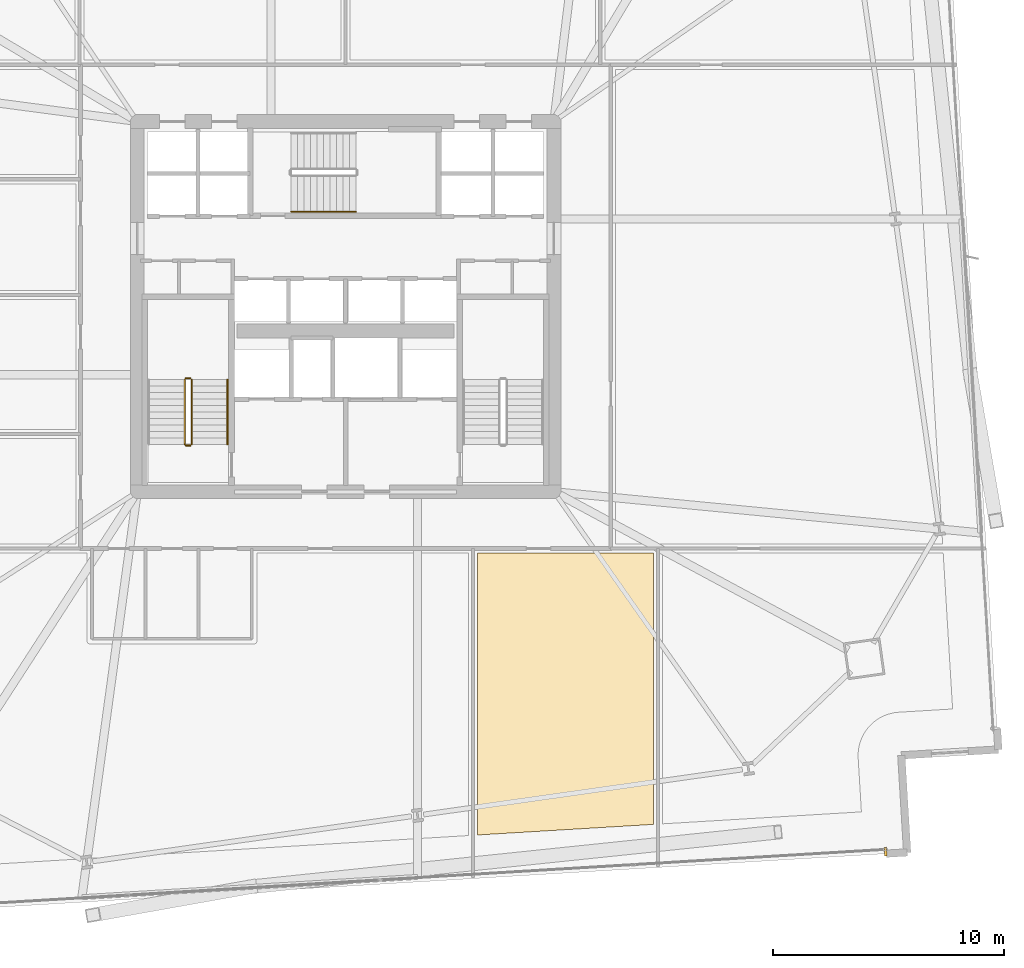
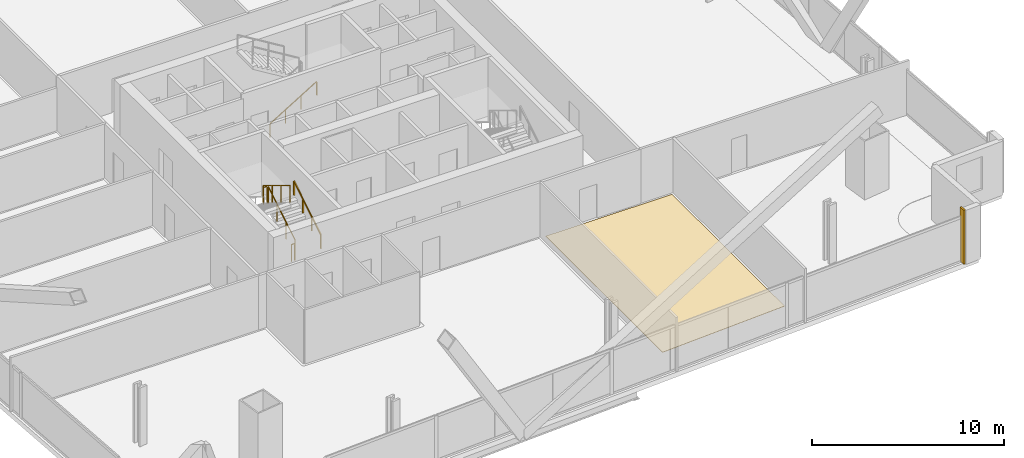
# One storey, part 31 of 34: 6 railings, 2 coverings.
"""IFC4 building model written with IfcOpenShell, lengths in metres."""

from ifc_helpers import new_model, si_unit, direction, frame, origin, origin_2d, place, context, subcontext, project, spatial, polyline, rectangle, outline, extrude, source, transform, mapped, material, layer, layer_set, type_object, element, save


model = new_model("IFC4")

# Units and contexts
model_context = context("Model", 3, precision=1e-05, world=origin(), true_north=direction((0.0, 1.0)))
body_context = subcontext(model_context, "Body", "Model", "MODEL_VIEW")
ifc_project = project(units=[si_unit("LENGTHUNIT", "METRE"), si_unit("AREAUNIT", "SQUARE_METRE"), si_unit("VOLUMEUNIT", "CUBIC_METRE"), si_unit("PLANEANGLEUNIT", "RADIAN"), si_unit("MASSUNIT", "GRAM", prefix="KILO")], contexts=[model_context])

# Site, building, storey
site_placement = place(None, origin())
site = spatial("IfcSite", under=ifc_project, at=site_placement, CompositionType="ELEMENT")
building_placement = place(site_placement, origin())
building = spatial("IfcBuilding", under=site, at=building_placement, Name="Haldenkirk Collegiate Tower", CompositionType="ELEMENT")
storey_placement = place(building_placement, frame((0.0, 0.0, 40.199951171875)))
storey = spatial("IfcBuildingStorey", under=building, at=storey_placement, Name="L08", CompositionType="ELEMENT", Elevation=40.199951171875)

# Covering
ifc_material_1 = material(Name="Polished collegiate terrazzo", Category="concrete")
ifc_layer_1 = layer(ifc_material_1, 0.02490234375)
ifc_layer_set_1 = layer_set([ifc_layer_1], Name="Polished collegiate terrazzo")
covering_type_1 = type_object("IfcCoveringType", Name="COV-FLOOR-TERRAZZO", PredefinedType="FLOORING", material=ifc_layer_set_1)
covering_1_placement = place(storey_placement, origin())
element("IfcCovering", 1, at=covering_1_placement, inside=storey, type_object=covering_type_1, Name="L08 academic room finish 02", PredefinedType="FLOORING", context=body_context, shape_type="SweptSolid", body=[
    extrude(outline(polyline([(41.699951171875, 3.171630859375), (41.699951171875, 15.35009765625), (49.300048828125, 15.35009765625), (49.300048828125, 3.6298828125), (41.699951171875, 3.171630859375)])), origin(), (0.0, 0.0, 1.0), 0.025146484375),
])

# Railings
ifc_material_2 = material(Name="Painted architectural tubular steel", Category="steel")
railing_type_1 = type_object("IfcRailingType", Name="RLG-STAIR-GUARD-1100", PredefinedType="BALUSTRADE", material=ifc_material_2)
railing_1_placement = place(storey_placement, frame((29.35009765625, 20.050048828125, 0.17041015625)))
element("IfcRailing", 2, at=railing_1_placement, inside=storey, type_object=railing_type_1, Name="L08 ST-1 stair guard 1", PredefinedType="BALUSTRADE", context=body_context, shape_type="SweptSolid", body=[
    extrude(rectangle(XDim=0.048095703125, YDim=0.048095703125, at=origin_2d()), frame((0.0, 0.0, 1.076171875), z_axis=(0.0, 0.854169791009, 0.51999420009), x_axis=(-1.0, 0.0, 0.0)), (0.0, 0.0, 1.0), 3.278076171875),
    extrude(rectangle(XDim=0.0419921875, YDim=0.0419921875, at=origin_2d()), origin(), (0.0, 0.0, 1.0), 1.052001953125),
    extrude(rectangle(XDim=0.0419921875, YDim=0.0419921875, at=origin_2d()), frame((0.0, 0.933349609375, 0.568115234375)), (0.0, 0.0, 1.0), 1.052001953125),
    extrude(rectangle(XDim=0.0419921875, YDim=0.0419921875, at=origin_2d()), frame((0.0, 1.86669921875, 1.136474609375)), (0.0, 0.0, 1.0), 1.052001953125),
    extrude(rectangle(XDim=0.0419921875, YDim=0.0419921875, at=origin_2d()), frame((0.0, 2.800048828125, 1.70458984375)), (0.0, 0.0, 1.0), 1.052001953125),
])
railing_2_placement = place(storey_placement, frame((29.300048828125, 22.89990234375, 1.875)))
element("IfcRailing", 3, at=railing_2_placement, inside=storey, type_object=railing_type_1, Name="L08 ST-1 stair guard 2", PredefinedType="BALUSTRADE", context=body_context, shape_type="SweptSolid", body=[
    extrude(rectangle(XDim=0.048095703125, YDim=0.048095703125, at=origin_2d()), frame((0.0, 0.0, 1.076171875), z_axis=(-1.0, 0.0, 0.0), x_axis=(0.0, -1.0, 0.0)), (0.0, 0.0, 1.0), 0.199951171875),
    extrude(rectangle(XDim=0.0419921875, YDim=0.0419921875, at=origin_2d()), origin(), (0.0, 0.0, 1.0), 1.052001953125),
    extrude(rectangle(XDim=0.0419921875, YDim=0.0419921875, at=origin_2d()), frame((-0.199951171875, 0.0, 0.0)), (0.0, 0.0, 1.0), 1.052001953125),
])
railing_3_placement = place(storey_placement, frame((29.050048828125, 22.85009765625, 2.04541015625)))
element("IfcRailing", 4, at=railing_3_placement, inside=storey, type_object=railing_type_1, Name="L08 ST-1 stair guard 3", PredefinedType="BALUSTRADE", context=body_context, shape_type="SweptSolid", body=[
    extrude(rectangle(XDim=0.048095703125, YDim=0.048095703125, at=origin_2d()), frame((0.0, 0.0, 1.076171875), z_axis=(0.0, -0.854169791009, 0.51999420009), x_axis=(1.0, 0.0, 0.0)), (0.0, 0.0, 1.0), 3.278076171875),
    extrude(rectangle(XDim=0.0419921875, YDim=0.0419921875, at=origin_2d()), origin(), (0.0, 0.0, 1.0), 1.052001953125),
    extrude(rectangle(XDim=0.0419921875, YDim=0.0419921875, at=origin_2d()), frame((0.0, -0.933349609375, 0.568115234375)), (0.0, 0.0, 1.0), 1.052001953125),
    extrude(rectangle(XDim=0.0419921875, YDim=0.0419921875, at=origin_2d()), frame((0.0, -1.86669921875, 1.136474609375)), (0.0, 0.0, 1.0), 1.052001953125),
    extrude(rectangle(XDim=0.0419921875, YDim=0.0419921875, at=origin_2d()), frame((0.0, -2.800048828125, 1.70458984375)), (0.0, 0.0, 1.0), 1.052001953125),
])
railing_4_placement = place(storey_placement, frame((29.300048828125, 20.0, 0.0)))
element("IfcRailing", 5, at=railing_4_placement, inside=storey, type_object=railing_type_1, Name="L08 ST-1 stair guard 4", PredefinedType="BALUSTRADE", context=body_context, shape_type="SweptSolid", body=[
    extrude(rectangle(XDim=0.048095703125, YDim=0.048095703125, at=origin_2d()), frame((0.0, 0.0, 1.076171875), z_axis=(-1.0, 0.0, 0.0), x_axis=(0.0, -1.0, 0.0)), (0.0, 0.0, 1.0), 0.199951171875),
    extrude(rectangle(XDim=0.0419921875, YDim=0.0419921875, at=origin_2d()), origin(), (0.0, 0.0, 1.0), 1.052001953125),
    extrude(rectangle(XDim=0.0419921875, YDim=0.0419921875, at=origin_2d()), frame((-0.199951171875, 0.0, 0.0)), (0.0, 0.0, 1.0), 1.052001953125),
])
railing_type_2 = type_object("IfcRailingType", Name="RLG-STAIR-HANDRAIL-900", PredefinedType="HANDRAIL", material=ifc_material_2)
railing_5_placement = place(storey_placement, frame((30.89990234375, 20.050048828125, 0.17041015625)))
element("IfcRailing", 6, at=railing_5_placement, inside=storey, type_object=railing_type_2, Name="L08 ST-1 stair handrail 1", PredefinedType="HANDRAIL", context=body_context, shape_type="SweptSolid", body=[
    extrude(rectangle(XDim=0.048095703125, YDim=0.048095703125, at=origin_2d()), frame((0.0, 0.0, 0.8759765625), z_axis=(0.0, 0.854169791009, 0.51999420009), x_axis=(-1.0, 0.0, 0.0)), (0.0, 0.0, 1.0), 3.278076171875),
    extrude(rectangle(XDim=0.0419921875, YDim=0.0419921875, at=origin_2d()), origin(), (0.0, 0.0, 1.0), 0.851806640625),
    extrude(rectangle(XDim=0.0419921875, YDim=0.0419921875, at=origin_2d()), frame((0.0, 0.933349609375, 0.568115234375)), (0.0, 0.0, 1.0), 0.851806640625),
    extrude(rectangle(XDim=0.0419921875, YDim=0.0419921875, at=origin_2d()), frame((0.0, 1.86669921875, 1.136474609375)), (0.0, 0.0, 1.0), 0.851806640625),
    extrude(rectangle(XDim=0.0419921875, YDim=0.0419921875, at=origin_2d()), frame((0.0, 2.800048828125, 1.70458984375)), (0.0, 0.0, 1.0), 0.851806640625),
])
railing_6_placement = place(storey_placement, frame((33.64990234375, 30.10009765625, 0.17041015625)))
element("IfcRailing", 7, at=railing_6_placement, inside=storey, type_object=railing_type_2, Name="L08 ST-3 stair handrail 1", PredefinedType="HANDRAIL", context=body_context, shape_type="SweptSolid", body=[
    extrude(rectangle(XDim=0.048095703125, YDim=0.048095703125, at=origin_2d()), frame((0.0, 0.0, 0.8759765625), z_axis=(0.854169791009, 0.0, 0.51999420009), x_axis=(0.0, 1.0, 0.0)), (0.0, 0.0, 1.0), 3.278076171875),
    extrude(rectangle(XDim=0.0419921875, YDim=0.0419921875, at=origin_2d()), origin(), (0.0, 0.0, 1.0), 0.851806640625),
    extrude(rectangle(XDim=0.0419921875, YDim=0.0419921875, at=origin_2d()), frame((0.933349609375, 0.0, 0.568115234375)), (0.0, 0.0, 1.0), 0.851806640625),
    extrude(rectangle(XDim=0.0419921875, YDim=0.0419921875, at=origin_2d()), frame((1.86669921875, 0.0, 1.136474609375)), (0.0, 0.0, 1.0), 0.851806640625),
    extrude(rectangle(XDim=0.0419921875, YDim=0.0419921875, at=origin_2d()), frame((2.800048828125, 0.0, 1.70458984375)), (0.0, 0.0, 1.0), 0.851806640625),
])

# Covering
ifc_material_3 = material(Name="Anodised architectural bronze aluminium", Category="aluminium")
ifc_layer_2 = layer(ifc_material_3, 0.06005859375)
ifc_layer_set_2 = layer_set([ifc_layer_2], Name="Anodised architectural bronze aluminium")
covering_type_2 = type_object("IfcCoveringType", Name="COV-CLAD-BRONZE-60", PredefinedType="CLADDING", material=ifc_layer_set_2)
shared_shape = source(origin(), body_context, "Body", "SweptSolid", [
    extrude(rectangle(XDim=0.10009765625, YDim=0.3798828125, at=origin_2d()), origin(), (0.0, 0.0, 1.0), 3.43994140625),
])
covering_2_placement = place(storey_placement, frame((59.329345703125, 2.451171875, 0.0), z_axis=(0.0, 0.0, 1.0), x_axis=(-0.998187693254, -0.060177479469, 0.0)))
element("IfcCovering", 8, at=covering_2_placement, inside=storey, type_object=covering_type_2, Name="L08 recessed curtain-wall bronze jamb closure SJL", PredefinedType="CLADDING", context=body_context, shape_type="MappedRepresentation", body=[
    mapped(shared_shape, transform((0.0, 0.0, 0.0), x_axis=(1.0, 0.0, 0.0), y_axis=(0.0, 1.0, 0.0), z_axis=(0.0, 0.0, 1.0), scale=1.0)),
])

save(model, "model.ifc")
